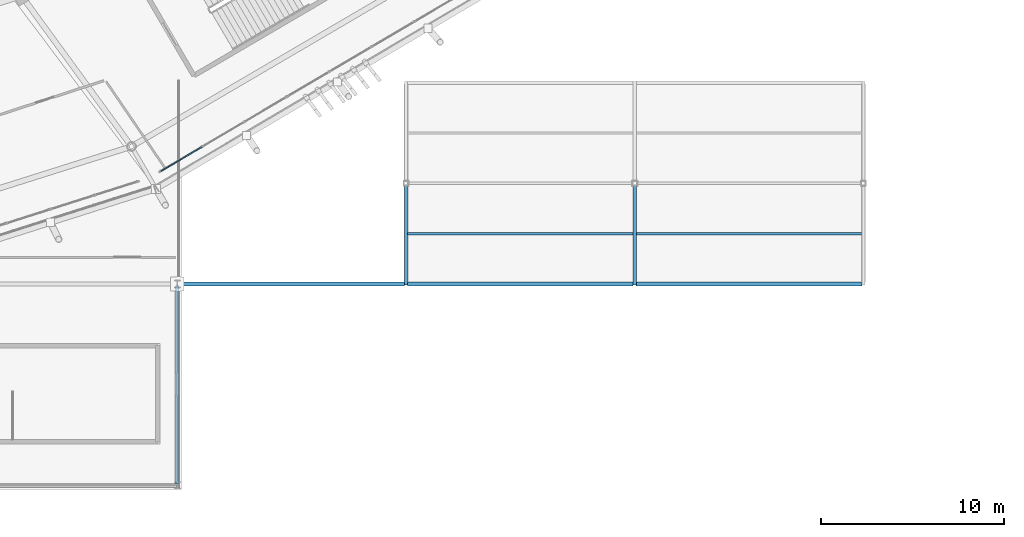
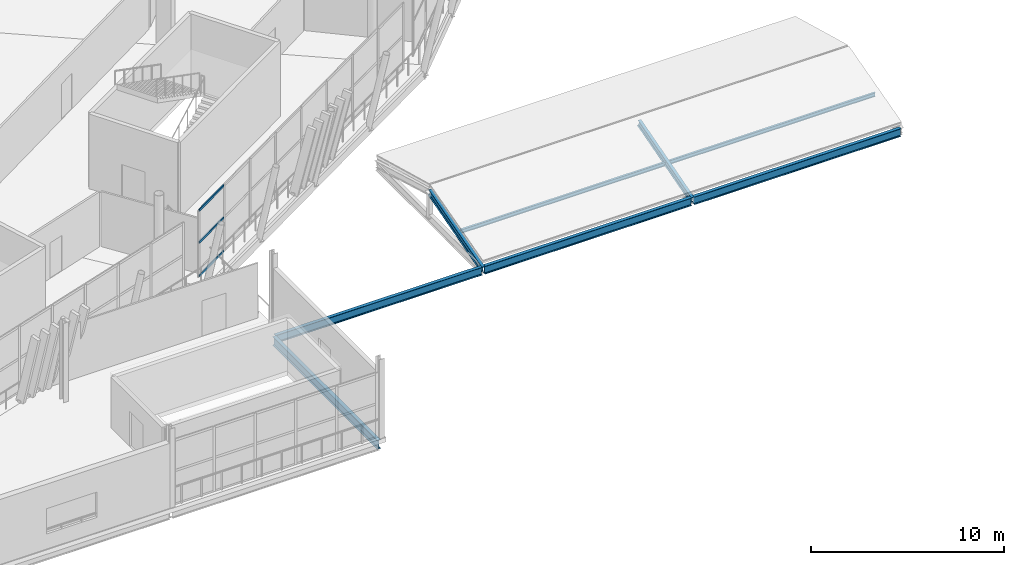
# One storey, part 53 of 179: 7 members, 4 beams, 1 element without a shape of its own.
"""IFC4 building model written with IfcOpenShell, lengths in metres."""

from ifc_helpers import new_model, si_unit, direction, frame, origin, origin_2d, place, context, subcontext, project, spatial, rectangle, i_section, extrude, material, material_profile, profile_set, type_object, element, aggregate, save


model = new_model("IFC4")

# Units and contexts
model_context = context("Model", 3, precision=1e-05, world=origin(), true_north=direction((0.0, 1.0)))
body_context = subcontext(model_context, "Body", "Model", "MODEL_VIEW")
ifc_project = project(units=[si_unit("LENGTHUNIT", "METRE"), si_unit("AREAUNIT", "SQUARE_METRE"), si_unit("VOLUMEUNIT", "CUBIC_METRE"), si_unit("PLANEANGLEUNIT", "RADIAN"), si_unit("MASSUNIT", "GRAM", prefix="KILO")], contexts=[model_context])

# Site, building, storey
site_placement = place(None, origin())
site = spatial("IfcSite", under=ifc_project, at=site_placement, CompositionType="ELEMENT")
building_placement = place(site_placement, origin())
building = spatial("IfcBuilding", under=site, at=building_placement, Name="Zlatoyarsky Gate Stadium", CompositionType="ELEMENT")
storey_placement = place(building_placement, frame((0.0, 0.0, 10.60009765625)))
storey = spatial("IfcBuildingStorey", under=building, at=storey_placement, Name="L02", CompositionType="ELEMENT", Elevation=10.60009765625)

# Curtain wall, members
ifc_material_1 = material(Name="Thermally broken anodised aluminium curtain wall", Category="aluminium")
curtain_wall_type = type_object("IfcCurtainWallType", Name="UNITISED HOSPITALITY GLAZING L02", PredefinedType="USERDEFINED", material=ifc_material_1)
curtain_wall_placement = place(storey_placement, origin())
curtain_wall = element("IfcCurtainWall", 1, at=curtain_wall_placement, inside=storey, type_object=curtain_wall_type, Name="Curtain wall CW-L02-20", ObjectType="UNITISED GLAZING", PredefinedType="USERDEFINED")
ifc_material_2 = material(Name="Anodised aluminium 6063-T6", Category="aluminium")
ifc_material_profile_1 = material_profile(ifc_material_2, rectangle(XDim=0.06494140625, YDim=0.139892578125, at=origin_2d()), Name="ALU 65X140")
ifc_profile_set_1 = profile_set([ifc_material_profile_1], Name="Anodised aluminium 6063-T6")
member_type_1 = type_object("IfcMemberType", Name="ALUMINIUM TRANSOM 65X140", PredefinedType="USERDEFINED", material=ifc_profile_set_1)
member_1_placement = place(storey_placement, frame((159.10400390625, 17.1640625, 0.032470703125), z_axis=(0.861403912896, 0.50792056352, 0.0), x_axis=(-0.50792056352, 0.861403912896, 0.0)))
member_1 = element("IfcMember", 2, at=member_1_placement, type_object=member_type_1, Name="CW-UG2 transom 1.1", ObjectType="TRANSOM", PredefinedType="USERDEFINED", context=body_context, shape_type="SweptSolid", body=[
    extrude(rectangle(XDim=0.06494140625, YDim=0.139892578125, at=origin_2d()), origin(), (0.0, 0.0, 1.0), 2.59423828125),
])
member_2_placement = place(storey_placement, frame((159.10400390625, 17.1640625, 2.14990234375), z_axis=(0.861403912896, 0.50792056352, 0.0), x_axis=(-0.50792056352, 0.861403912896, 0.0)))
member_2 = element("IfcMember", 3, at=member_2_placement, type_object=member_type_1, Name="CW-UG2 transom 1.2", ObjectType="TRANSOM", PredefinedType="USERDEFINED", context=body_context, shape_type="SweptSolid", body=[
    extrude(rectangle(XDim=0.06494140625, YDim=0.139892578125, at=origin_2d()), origin(), (0.0, 0.0, 1.0), 2.59423828125),
])
member_3_placement = place(storey_placement, frame((159.10400390625, 17.1640625, 4.16748046875), z_axis=(0.861403912896, 0.50792056352, 0.0), x_axis=(-0.50792056352, 0.861403912896, 0.0)))
member_3 = element("IfcMember", 4, at=member_3_placement, type_object=member_type_1, Name="CW-UG2 transom 1.3", ObjectType="TRANSOM", PredefinedType="USERDEFINED", context=body_context, shape_type="SweptSolid", body=[
    extrude(rectangle(XDim=0.06494140625, YDim=0.139892578125, at=origin_2d()), origin(), (0.0, 0.0, 1.0), 2.59423828125),
])
aggregate(curtain_wall, [member_1, member_2, member_3])

# Beams
ifc_material_3 = material(Name="Steel S355", Category="steel")
ifc_material_profile_2 = material_profile(ifc_material_3, i_section(OverallWidth=0.199951171875, OverallDepth=0.5, WebThickness=0.01025390625, FlangeThickness=0.01611328125, FilletRadius=0.02099609375, at=origin_2d()), Name="IPE 500")
ifc_profile_set_2 = profile_set([ifc_material_profile_2], Name="Steel S355")
beam_type_1 = type_object("IfcBeamType", Name="STEEL FLOOR BEAM IPE 500", PredefinedType="BEAM", material=ifc_profile_set_2)
for number, where, z_axis, x_axis, name in (
    (5, (160.080078125, 11.0, -0.530029296875), (1.0, 0.0, 0.0), (0.0, 1.0, 0.0), "Beam B-IPE500 BM-L02-WGX-14-B"),
    (6, (172.580078125, 11.0, -0.530029296875), (1.0, 0.0, 0.0), (0.0, 1.0, 0.0), "Beam B-IPE500 BM-L02-WGX-15-B"),
    (7, (185.080078125, 11.0, -0.530029296875), (1.0, 0.0, 0.0), (0.0, 1.0, 0.0), "Beam B-IPE500 BM-L02-WGX-16-B"),
):
    element("IfcBeam", number, at=place(storey_placement, frame(where, z_axis=z_axis, x_axis=x_axis)), inside=storey, type_object=beam_type_1, Name=name, PredefinedType="BEAM", context=body_context, shape_type="SweptSolid", body=[
        extrude(i_section(OverallWidth=0.199951171875, OverallDepth=0.5, WebThickness=0.01025390625, FlangeThickness=0.01611328125, FilletRadius=0.02099609375, at=origin_2d()), origin(), (0.0, 0.0, 1.0), 12.33984375),
    ])
ifc_material_profile_3 = material_profile(ifc_material_3, i_section(OverallWidth=0.2099609375, OverallDepth=0.550048828125, WebThickness=0.010986328125, FlangeThickness=0.01708984375, FilletRadius=0.02392578125, at=origin_2d()), Name="IPE 550")
ifc_profile_set_3 = profile_set([ifc_material_profile_3], Name="Steel S355")
beam_type_2 = type_object("IfcBeamType", Name="STEEL FLOOR BEAM IPE 550", PredefinedType="BEAM", material=ifc_profile_set_3)
beam_placement = place(storey_placement, frame((160.0, 0.080078125, -0.55517578125), z_axis=(0.0, 1.0, 0.0), x_axis=(-1.0, 0.0, 0.0)))
element("IfcBeam", 8, at=beam_placement, inside=storey, type_object=beam_type_2, Name="Beam B-IPE550 BM-L02-WGY-14-A", PredefinedType="BEAM", context=body_context, shape_type="SweptSolid", body=[
    extrude(i_section(OverallWidth=0.2099609375, OverallDepth=0.550048828125, WebThickness=0.010986328125, FlangeThickness=0.01708984375, FilletRadius=0.02392578125, at=origin_2d()), origin(), (0.0, 0.0, 1.0), 10.83984375),
])

# Members
ifc_material_profile_4 = material_profile(ifc_material_3, i_section(OverallWidth=0.1201171875, OverallDepth=0.239990234375, WebThickness=0.006103515625, FlangeThickness=0.009765625, FilletRadius=0.014892578125, at=origin_2d()), Name="IPE 240")
ifc_profile_set_4 = profile_set([ifc_material_profile_4], Name="Steel S355")
member_type_2 = type_object("IfcMemberType", Name="STEEL PAVILION ROOF PURLIN IPE 240", PredefinedType="PURLIN", material=ifc_profile_set_4)
for number, where, z_axis, x_axis, name in (
    (9, (172.5, 13.75, 0.14501953125), (1.0, 0.0, 0.0), (0.0, 1.0, 0.0), "V6_SE roof purlin 1S"),
    (10, (185.0, 13.75, 0.14501953125), (1.0, 0.0, 0.0), (0.0, 1.0, 0.0), "V6_SE roof purlin 2S"),
):
    element("IfcMember", number, at=place(storey_placement, frame(where, z_axis=z_axis, x_axis=x_axis)), inside=storey, type_object=member_type_2, Name=name, PredefinedType="PURLIN", context=body_context, shape_type="SweptSolid", body=[
        extrude(i_section(OverallWidth=0.1201171875, OverallDepth=0.239990234375, WebThickness=0.006103515625, FlangeThickness=0.009765625, FilletRadius=0.014892578125, at=origin_2d()), origin(), (0.0, 0.0, 1.0), 12.5),
    ])
ifc_material_profile_5 = material_profile(ifc_material_3, i_section(OverallWidth=0.179931640625, OverallDepth=0.39990234375, WebThickness=0.008544921875, FlangeThickness=0.013427734375, FilletRadius=0.02099609375, at=origin_2d()), Name="IPE 400")
ifc_profile_set_5 = profile_set([ifc_material_profile_5], Name="Steel S355")
member_type_3 = type_object("IfcMemberType", Name="STEEL PAVILION ROOF RAFTER IPE 400", PredefinedType="RAFTER", material=ifc_profile_set_5)
for number, where, z_axis, x_axis, name in (
    (11, (172.5, 11.0, -0.5), (0.0, 0.961598006641, 0.274461789005), (-1.0, 0.0, 0.0), "V6_SE roof rafter 1A"),
    (12, (185.0, 11.0, -0.5), (0.0, 0.961598006641, 0.274461789005), (-1.0, 0.0, 0.0), "V6_SE roof rafter 2A"),
):
    element("IfcMember", number, at=place(storey_placement, frame(where, z_axis=z_axis, x_axis=x_axis)), inside=storey, type_object=member_type_3, Name=name, PredefinedType="RAFTER", context=body_context, shape_type="SweptSolid", body=[
        extrude(i_section(OverallWidth=0.179931640625, OverallDepth=0.39990234375, WebThickness=0.008544921875, FlangeThickness=0.013427734375, FilletRadius=0.02099609375, at=origin_2d()), origin(), (0.0, 0.0, 1.0), 5.7197265625),
    ])

save(model, "model.ifc")
